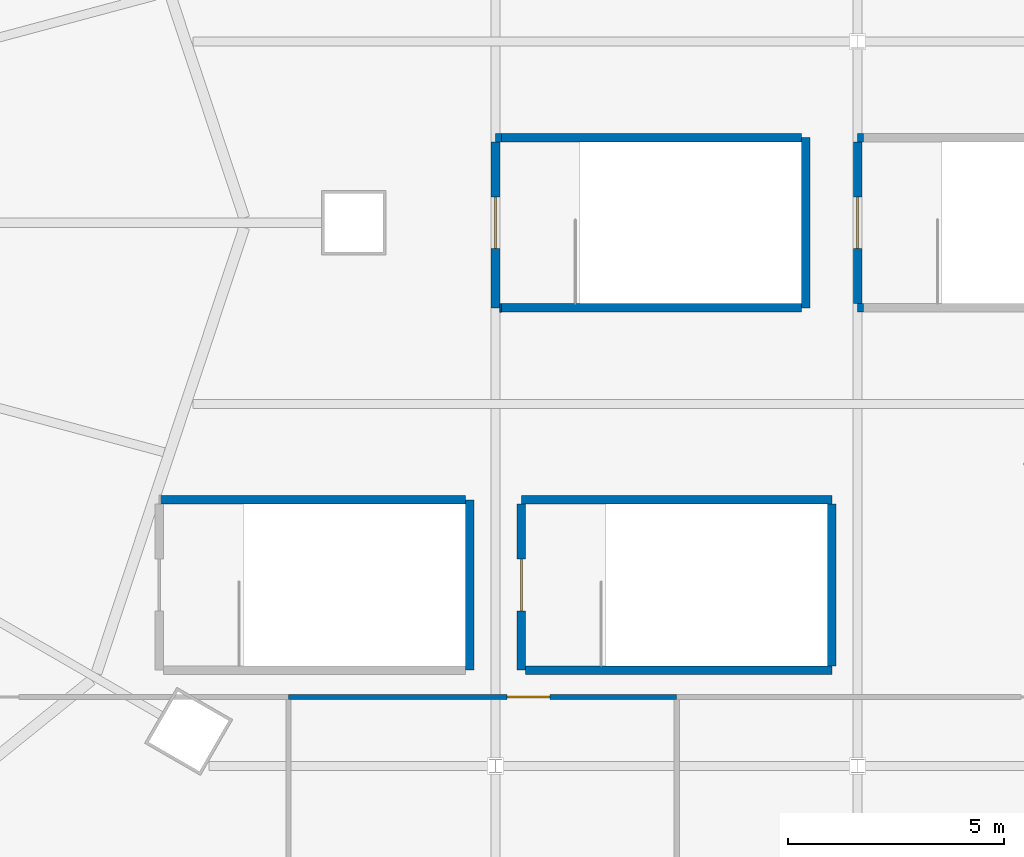
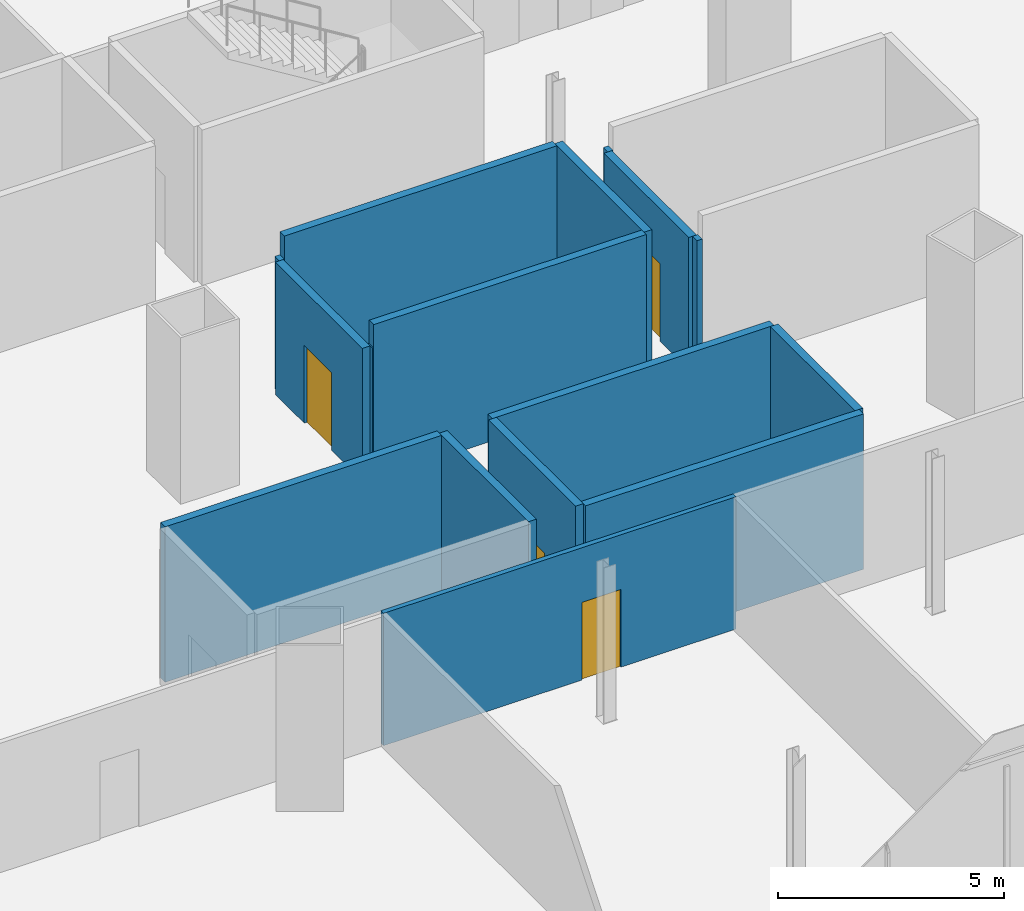
# One storey, part 33 of 49: 16 walls, 4 doors, 4 openings.
"""IFC4 building model written with IfcOpenShell, lengths in metres."""

from ifc_helpers import new_model, si_unit, direction, frame, frame_2d, origin, place, context, subcontext, project, spatial, rectangle, extrude, material, layer, layer_set, type_object, element, fill, save


model = new_model("IFC4")

# Units and contexts
model_context = context("Model", 3, precision=1e-05, world=origin(), true_north=direction((0.0, 1.0)))
body_context = subcontext(model_context, "Body", "Model", "MODEL_VIEW")
ifc_project = project(units=[si_unit("LENGTHUNIT", "METRE"), si_unit("AREAUNIT", "SQUARE_METRE"), si_unit("VOLUMEUNIT", "CUBIC_METRE"), si_unit("PLANEANGLEUNIT", "RADIAN"), si_unit("MASSUNIT", "GRAM", prefix="KILO")], contexts=[model_context])

# Site, building, storey
site_placement = place(None, origin())
site = spatial("IfcSite", under=ifc_project, at=site_placement, CompositionType="ELEMENT")
building_placement = place(site_placement, origin())
building = spatial("IfcBuilding", under=site, at=building_placement, Name="Rimbun Link Towers", CompositionType="ELEMENT")
storey_placement = place(building_placement, frame((0.0, 0.0, 25.5)))
storey = spatial("IfcBuildingStorey", under=building, at=storey_placement, Name="L05", CompositionType="ELEMENT", Elevation=25.5)

# Wall, opening, door
ifc_material_1 = material(Name="Gypsum board on steel studs", Category="steel")
ifc_layer_1 = layer(ifc_material_1, 0.125)
ifc_layer_set_1 = layer_set([ifc_layer_1], Name="Partition 125 board on studs")
wall_type_1 = type_object("IfcWallType", Name="Partition 125 board on studs", PredefinedType="PARTITIONING", material=ifc_layer_set_1)
wall_1_placement = place(storey_placement, frame((-9.0, -11.0, 0.0), z_axis=(0.0, 0.0, 1.0), x_axis=(1.0, 0.0, 0.0)))
wall_1 = element("IfcWall", 1, at=wall_1_placement, inside=storey, type_object=wall_type_1, Name="PD/PW/L05/029", PredefinedType="PARTITIONING", context=body_context, shape_type="SweptSolid", body=[
    extrude(rectangle(XDim=9.0, YDim=0.125, at=frame_2d((4.5, 0.0))), origin(), (0.0, 0.0, 1.0), 3.576904296875),
])
opening_1_placement = place(wall_1_placement, frame((5.06494140625, 0.0, 0.0)))
opening_1 = element("IfcOpeningElement", 2, at=opening_1_placement, cuts=wall_1, Name="Opening PD D05.05", PredefinedType="OPENING", context=body_context, shape_type="SweptSolid", body=[
    extrude(rectangle(XDim=1.0, YDim=2.10009765625, at=frame_2d((0.5, 1.050048828125))), frame((0.0, 0.072509765625, 0.0), z_axis=(0.0, -1.0, 0.0), x_axis=(1.0, 0.0, 0.0)), (0.0, 0.0, 1.0), 0.14501953125),
])
ifc_material_2 = material(Name="Timber door set", Category="wood")
door_type_1 = type_object("IfcDoorType", Name="Door single leaf 1000 x 2100", OperationType="NOTDEFINED", PredefinedType="DOOR", material=ifc_material_2)
door_1_placement = place(opening_1_placement, origin())
door_1 = element("IfcDoor", 3, at=door_1_placement, inside=storey, type_object=door_type_1, Name="PD/DR/L05/005", OperationType="SINGLE_SWING_RIGHT", OverallHeight=2.10009765625, OverallWidth=1.0, PredefinedType="DOOR", context=body_context, shape_type="SweptSolid", body=[
    extrude(rectangle(XDim=1.0, YDim=2.10009765625, at=frame_2d((0.5, 1.050048828125))), frame((0.0, 0.02490234375, 0.0), z_axis=(0.0, -1.0, 0.0), x_axis=(1.0, 0.0, 0.0)), (0.0, 0.0, 1.0), 0.050048828125),
])
fill(opening_1, door_1)

# Walls
ifc_material_3 = material(Name="Concrete C40/50", Category="concrete")
ifc_layer_2 = layer(ifc_material_3, 0.199951171875)
ifc_layer_set_2 = layer_set([ifc_layer_2], Name="Stair shaft wall 200")
wall_type_2 = type_object("IfcWallType", Name="Stair shaft wall 200", PredefinedType="SOLIDWALL", material=ifc_layer_set_2)
wall_2_placement = place(storey_placement, frame((-4.800048828125, -10.375, 0.0), z_axis=(0.0, 0.0, 1.0), x_axis=(0.0, 1.0, 0.0)))
element("IfcWall", 4, at=wall_2_placement, inside=storey, type_object=wall_type_2, Name="PD/PW/L05/001", PredefinedType="SOLIDWALL", context=body_context, shape_type="SweptSolid", body=[
    extrude(rectangle(XDim=3.949951171875, YDim=0.199951171875, at=frame_2d((1.97509765625, 0.0))), origin(), (0.0, 0.0, 1.0), 4.199951171875),
])
wall_3_placement = place(storey_placement, frame((-4.89990234375, -6.425048828125, 0.0), z_axis=(0.0, 0.0, 1.0), x_axis=(-1.0, 0.0, 0.0)))
element("IfcWall", 5, at=wall_3_placement, inside=storey, type_object=wall_type_2, Name="PD/PW/L05/002", PredefinedType="SOLIDWALL", context=body_context, shape_type="SweptSolid", body=[
    extrude(rectangle(XDim=7.068359375, YDim=0.199951171875, at=frame_2d((3.5341796875, 0.0))), origin(), (0.0, 0.0, 1.0), 4.199951171875),
])
wall_4_placement = place(storey_placement, frame((3.60009765625, -6.425048828125, 0.0), z_axis=(0.0, 0.0, 1.0), x_axis=(-1.0, 0.0, 0.0)))
element("IfcWall", 6, at=wall_4_placement, inside=storey, type_object=wall_type_2, Name="PD/PW/L05/005", PredefinedType="SOLIDWALL", context=body_context, shape_type="SweptSolid", body=[
    extrude(rectangle(XDim=7.2001953125, YDim=0.199951171875, at=frame_2d((3.60009765625, 0.0))), origin(), (0.0, 0.0, 1.0), 4.199951171875),
])

# Wall, opening, door
wall_5_placement = place(storey_placement, frame((-3.60009765625, -6.52490234375, 0.0), z_axis=(0.0, 0.0, 1.0), x_axis=(0.0, -1.0, 0.0)))
wall_5 = element("IfcWall", 7, at=wall_5_placement, inside=storey, type_object=wall_type_2, Name="PD/PW/L05/006", PredefinedType="SOLIDWALL", context=body_context, shape_type="SweptSolid", body=[
    extrude(rectangle(XDim=3.85009765625, YDim=0.199951171875, at=frame_2d((1.925048828125, 0.0))), origin(), (0.0, 0.0, 1.0), 4.199951171875),
])
opening_2_placement = place(wall_5_placement, frame((1.27490234375, 0.0, 0.0)))
opening_2 = element("IfcOpeningElement", 8, at=opening_2_placement, cuts=wall_5, Name="Opening PD DS2", PredefinedType="OPENING", context=body_context, shape_type="SweptSolid", body=[
    extrude(rectangle(XDim=1.199951171875, YDim=2.10009765625, at=frame_2d((0.60009765625, 1.050048828125))), frame((0.0, 0.10986328125, 0.0), z_axis=(0.0, -1.0, 0.0), x_axis=(1.0, 0.0, 0.0)), (0.0, 0.0, 1.0), 0.219970703125),
])
ifc_material_4 = material(Name="Steel fire door set", Category="steel")
door_type_2 = type_object("IfcDoorType", Name="Stair door", OperationType="SINGLE_SWING_LEFT", PredefinedType="DOOR", material=ifc_material_4)
door_2_placement = place(opening_2_placement, frame((1.199951171875, 0.0, 0.0), z_axis=(0.0, 0.0, 1.0), x_axis=(-1.0, 0.0, 0.0)))
door_2 = element("IfcDoor", 9, at=door_2_placement, inside=storey, type_object=door_type_2, Name="PD/DR/L05/S2", OperationType="SINGLE_SWING_LEFT", OverallHeight=2.10009765625, OverallWidth=1.199951171875, PredefinedType="DOOR", context=body_context, shape_type="SweptSolid", body=[
    extrude(rectangle(XDim=1.199951171875, YDim=2.10009765625, at=frame_2d((0.60009765625, 1.050048828125))), frame((0.0, 0.02490234375, 0.0), z_axis=(0.0, -1.0, 0.0), x_axis=(1.0, 0.0, 0.0)), (0.0, 0.0, 1.0), 0.050048828125),
])
fill(opening_2, door_2)

# Walls
wall_6_placement = place(storey_placement, frame((-3.5, -10.375, 0.0), z_axis=(0.0, 0.0, 1.0), x_axis=(1.0, 0.0, 0.0)))
element("IfcWall", 10, at=wall_6_placement, inside=storey, type_object=wall_type_2, Name="PD/PW/L05/007", PredefinedType="SOLIDWALL", context=body_context, shape_type="SweptSolid", body=[
    extrude(rectangle(XDim=7.10009765625, YDim=0.199951171875, at=frame_2d((3.550048828125, 0.0))), origin(), (0.0, 0.0, 1.0), 4.199951171875),
])
wall_7_placement = place(storey_placement, frame((3.60009765625, -10.27490234375, 0.0), z_axis=(0.0, 0.0, 1.0), x_axis=(0.0, 1.0, 0.0)))
element("IfcWall", 11, at=wall_7_placement, inside=storey, type_object=wall_type_2, Name="PD/PW/L05/008", PredefinedType="SOLIDWALL", context=body_context, shape_type="SweptSolid", body=[
    extrude(rectangle(XDim=3.75, YDim=0.199951171875, at=frame_2d((1.875, 0.0))), origin(), (0.0, 0.0, 1.0), 4.199951171875),
])
for number, where, z_axis, x_axis, name in (
    (12, (4.199951171875, -1.97509765625, 0.0), (0.0, 0.0, 1.0), (1.0, 0.0, 0.0), "PD/PW/L05/017"),
    (13, (4.333740234375, 1.97509765625, 0.0), (0.0, 0.0, 1.0), (-1.0, 0.0, 0.0), "PD/PW/L05/019b"),
):
    element("IfcWall", number, at=place(storey_placement, frame(where, z_axis=z_axis, x_axis=x_axis)), inside=storey, type_object=wall_type_2, Name=name, PredefinedType="SOLIDWALL", context=body_context, shape_type="SweptSolid", body=[
        extrude(rectangle(XDim=0.1337890625, YDim=0.199951171875, at=frame_2d((0.06689453125, 0.0))), origin(), (0.0, 0.0, 1.0), 3.576904296875),
    ])

# Wall, opening, door
wall_8_placement = place(storey_placement, frame((4.199951171875, 1.875, 0.0), z_axis=(0.0, 0.0, 1.0), x_axis=(0.0, -1.0, 0.0)))
wall_8 = element("IfcWall", 14, at=wall_8_placement, inside=storey, type_object=wall_type_2, Name="PD/PW/L05/020", PredefinedType="SOLIDWALL", context=body_context, shape_type="SweptSolid", body=[
    extrude(rectangle(XDim=3.75, YDim=0.199951171875, at=frame_2d((1.875, 0.0))), origin(), (0.0, 0.0, 1.0), 3.576904296875),
])
opening_3_placement = place(wall_8_placement, frame((1.27490234375, 0.0, 0.0)))
opening_3 = element("IfcOpeningElement", 15, at=opening_3_placement, cuts=wall_8, Name="Opening PD DS5", PredefinedType="OPENING", context=body_context, shape_type="SweptSolid", body=[
    extrude(rectangle(XDim=1.199951171875, YDim=2.10009765625, at=frame_2d((0.60009765625, 1.050048828125))), frame((0.0, 0.10986328125, 0.0), z_axis=(0.0, -1.0, 0.0), x_axis=(1.0, 0.0, 0.0)), (0.0, 0.0, 1.0), 0.219970703125),
])
door_3_placement = place(opening_3_placement, frame((1.199951171875, 0.0, 0.0), z_axis=(0.0, 0.0, 1.0), x_axis=(-1.0, 0.0, 0.0)))
door_3 = element("IfcDoor", 16, at=door_3_placement, inside=storey, type_object=door_type_2, Name="PD/DR/L05/S5", OperationType="SINGLE_SWING_LEFT", OverallHeight=2.10009765625, OverallWidth=1.199951171875, PredefinedType="DOOR", context=body_context, shape_type="SweptSolid", body=[
    extrude(rectangle(XDim=1.199951171875, YDim=2.10009765625, at=frame_2d((0.60009765625, 1.050048828125))), frame((0.0, 0.02490234375, 0.0), z_axis=(0.0, -1.0, 0.0), x_axis=(1.0, 0.0, 0.0)), (0.0, 0.0, 1.0), 0.050048828125),
])
fill(opening_3, door_3)

# Walls
wall_9_placement = place(storey_placement, frame((3.0, -1.97509765625, 0.0), z_axis=(0.0, 0.0, 1.0), x_axis=(0.0, 1.0, 0.0)))
element("IfcWall", 17, at=wall_9_placement, inside=storey, type_object=wall_type_2, Name="PD/PW/L05/021", PredefinedType="SOLIDWALL", context=body_context, shape_type="SweptSolid", body=[
    extrude(rectangle(XDim=3.9501953125, YDim=0.199951171875, at=frame_2d((1.97509765625, 0.0))), origin(), (0.0, 0.0, 1.0), 4.199951171875),
])
wall_10_placement = place(storey_placement, frame((2.89990234375, 1.97509765625, 0.0), z_axis=(0.0, 0.0, 1.0), x_axis=(-1.0, 0.0, 0.0)))
element("IfcWall", 18, at=wall_10_placement, inside=storey, type_object=wall_type_2, Name="PD/PW/L05/022", PredefinedType="SOLIDWALL", context=body_context, shape_type="SweptSolid", body=[
    extrude(rectangle(XDim=6.966064453125, YDim=0.199951171875, at=frame_2d((3.48291015625, 0.0))), origin(), (0.0, 0.0, 1.0), 4.199951171875),
])
wall_11_placement = place(storey_placement, frame((-4.066162109375, 1.97509765625, 0.0), z_axis=(0.0, 0.0, 1.0), x_axis=(-1.0, 0.0, 0.0)))
element("IfcWall", 19, at=wall_11_placement, inside=storey, type_object=wall_type_2, Name="PD/PW/L05/022b", PredefinedType="SOLIDWALL", context=body_context, shape_type="SweptSolid", body=[
    extrude(rectangle(XDim=0.1337890625, YDim=0.199951171875, at=frame_2d((0.06689453125, 0.0))), origin(), (0.0, 0.0, 1.0), 3.576904296875),
])

# Wall, opening, door
wall_12_placement = place(storey_placement, frame((-4.199951171875, 1.875, 0.0), z_axis=(0.0, 0.0, 1.0), x_axis=(0.0, -1.0, 0.0)))
wall_12 = element("IfcWall", 20, at=wall_12_placement, inside=storey, type_object=wall_type_2, Name="PD/PW/L05/023", PredefinedType="SOLIDWALL", context=body_context, shape_type="SweptSolid", body=[
    extrude(rectangle(XDim=3.85009765625, YDim=0.199951171875, at=frame_2d((1.925048828125, 0.0))), origin(), (0.0, 0.0, 1.0), 3.576904296875),
])
opening_4_placement = place(wall_12_placement, frame((1.27490234375, 0.0, 0.0)))
opening_4 = element("IfcOpeningElement", 21, at=opening_4_placement, cuts=wall_12, Name="Opening PD DS6", PredefinedType="OPENING", context=body_context, shape_type="SweptSolid", body=[
    extrude(rectangle(XDim=1.199951171875, YDim=2.10009765625, at=frame_2d((0.60009765625, 1.050048828125))), frame((0.0, 0.10986328125, 0.0), z_axis=(0.0, -1.0, 0.0), x_axis=(1.0, 0.0, 0.0)), (0.0, 0.0, 1.0), 0.219970703125),
])
door_4_placement = place(opening_4_placement, frame((1.199951171875, 0.0, 0.0), z_axis=(0.0, 0.0, 1.0), x_axis=(-1.0, 0.0, 0.0)))
door_4 = element("IfcDoor", 22, at=door_4_placement, inside=storey, type_object=door_type_2, Name="PD/DR/L05/S6", OperationType="SINGLE_SWING_LEFT", OverallHeight=2.10009765625, OverallWidth=1.199951171875, PredefinedType="DOOR", context=body_context, shape_type="SweptSolid", body=[
    extrude(rectangle(XDim=1.199951171875, YDim=2.10009765625, at=frame_2d((0.60009765625, 1.050048828125))), frame((0.0, 0.02490234375, 0.0), z_axis=(0.0, -1.0, 0.0), x_axis=(1.0, 0.0, 0.0)), (0.0, 0.0, 1.0), 0.050048828125),
])
fill(opening_4, door_4)

# Walls
wall_13_placement = place(storey_placement, frame((-4.10009765625, -1.97509765625, 0.0), z_axis=(0.0, 0.0, 1.0), x_axis=(1.0, 0.0, 0.0)))
element("IfcWall", 23, at=wall_13_placement, inside=storey, type_object=wall_type_2, Name="PD/PW/L05/024", PredefinedType="SOLIDWALL", context=body_context, shape_type="SweptSolid", body=[
    extrude(rectangle(XDim=0.033935546875, YDim=0.199951171875, at=frame_2d((0.01708984375, 0.0))), origin(), (0.0, 0.0, 1.0), 3.576904296875),
])
wall_14_placement = place(storey_placement, frame((-4.066162109375, -1.97509765625, 0.0), z_axis=(0.0, 0.0, 1.0), x_axis=(1.0, 0.0, 0.0)))
element("IfcWall", 24, at=wall_14_placement, inside=storey, type_object=wall_type_2, Name="PD/PW/L05/024b", PredefinedType="SOLIDWALL", context=body_context, shape_type="SweptSolid", body=[
    extrude(rectangle(XDim=6.966064453125, YDim=0.199951171875, at=frame_2d((3.48291015625, 0.0))), origin(), (0.0, 0.0, 1.0), 4.199951171875),
])

save(model, "model.ifc")
